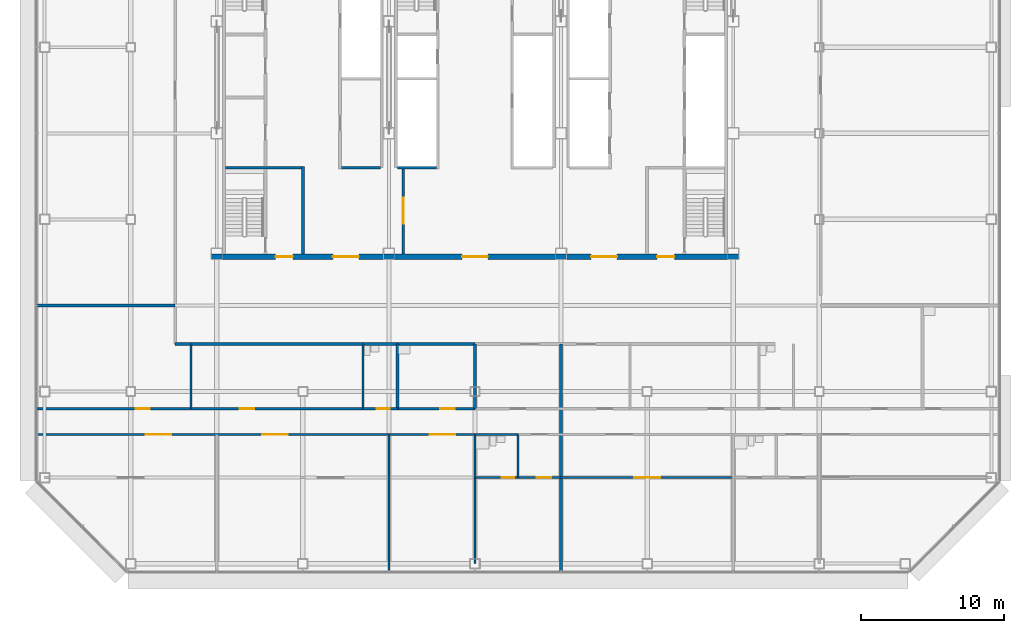
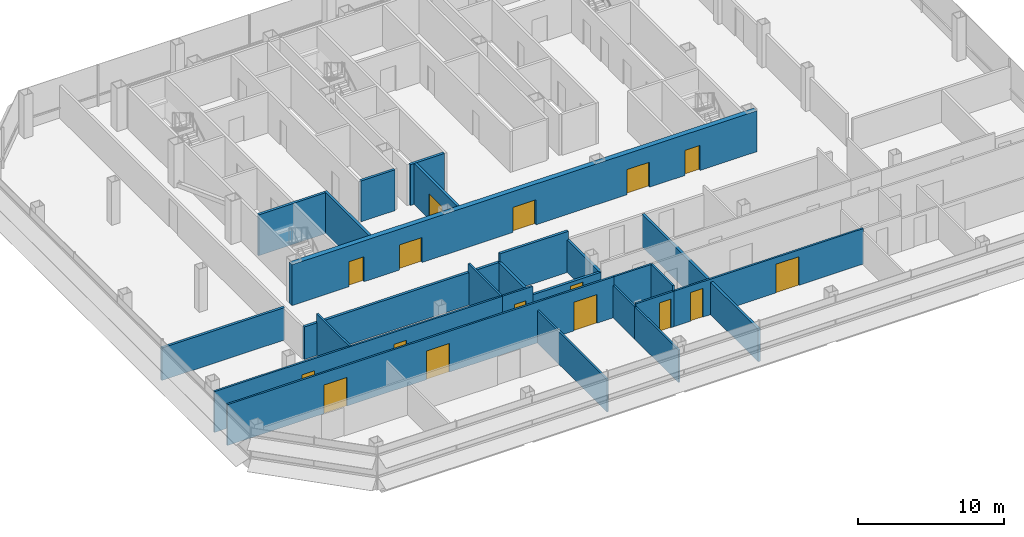
# One storey, part 19 of 24: 25 walls, 16 doors, 16 openings.
"""IFC4 building model written with IfcOpenShell, lengths in metres."""

from ifc_helpers import new_model, si_unit, direction, frame, frame_2d, origin, place, context, subcontext, project, spatial, rectangle, extrude, material, layer, layer_set, type_object, element, fill, save


model = new_model("IFC4")

# Units and contexts
model_context = context("Model", 3, precision=1e-05, world=origin(), true_north=direction((0.0, 1.0)))
body_context = subcontext(model_context, "Body", "Model", "MODEL_VIEW")
ifc_project = project(units=[si_unit("LENGTHUNIT", "METRE"), si_unit("AREAUNIT", "SQUARE_METRE"), si_unit("VOLUMEUNIT", "CUBIC_METRE"), si_unit("PLANEANGLEUNIT", "RADIAN"), si_unit("MASSUNIT", "GRAM", prefix="KILO")], contexts=[model_context])

# Site, building, storey
site_placement = place(None, origin())
site = spatial("IfcSite", under=ifc_project, at=site_placement, CompositionType="ELEMENT")
building_placement = place(site_placement, origin())
building = spatial("IfcBuilding", under=site, at=building_placement, Name="Sorahane Residences", CompositionType="ELEMENT")
storey_placement = place(building_placement, frame((0.0, 0.0, 170.800048828125)))
storey = spatial("IfcBuildingStorey", under=building, at=storey_placement, Name="L39", CompositionType="ELEMENT", Elevation=170.800048828125)

# Walls
ifc_material_1 = material(Name="Concrete blockwork C20 wall", Category="masonry")
ifc_layer_1 = layer(ifc_material_1, 0.199951171875)
ifc_layer_set_1 = layer_set([ifc_layer_1], Name="Corridor wall 200 EI 120")
wall_type_1 = type_object("IfcWallType", Name="Corridor wall 200 EI 120", PredefinedType="SOLIDWALL", material=ifc_layer_set_1)
wall_1_placement = place(storey_placement, frame((3.10009765625, 15.300048828125, 0.0), z_axis=(0.0, 0.0, 1.0), x_axis=(1.0, 0.0, 0.0)))
element("IfcWall", 1, at=wall_1_placement, inside=storey, type_object=wall_type_1, Name="L39 corridor wall", PredefinedType="SOLIDWALL", context=body_context, shape_type="SweptSolid", body=[
    extrude(rectangle(XDim=15.5, YDim=0.199951171875, at=frame_2d((7.75, 0.0))), origin(), (0.0, 0.0, 1.0), 2.719970703125),
])
wall_2_placement = place(storey_placement, frame((-6.60009765625, 18.0, 0.0), z_axis=(0.0, 0.0, 1.0), x_axis=(1.0, 0.0, 0.0)))
element("IfcWall", 2, at=wall_2_placement, inside=storey, type_object=wall_type_1, Name="L39 corridor wall", PredefinedType="SOLIDWALL", context=body_context, shape_type="SweptSolid", body=[
    extrude(rectangle(XDim=9.7001953125, YDim=0.199951171875, at=frame_2d((4.85009765625, 0.0))), origin(), (0.0, 0.0, 1.0), 2.719970703125),
])
ifc_material_2 = material(Name="Concrete C30", Category="concrete")
ifc_layer_2 = layer(ifc_material_2, 0.199951171875)
ifc_layer_set_2 = layer_set([ifc_layer_2], Name="Front room wall 200 EI 120")
wall_type_2 = type_object("IfcWallType", Name="Front room wall 200 EI 120", PredefinedType="PARTITIONING", material=ifc_layer_set_2)
wall_3_placement = place(storey_placement, frame((12.0, 21.60009765625, 0.0), z_axis=(0.0, 0.0, 1.0), x_axis=(0.0, 1.0, 0.0)))
element("IfcWall", 3, at=wall_3_placement, inside=storey, type_object=wall_type_2, Name="L39 front room wall", PredefinedType="PARTITIONING", context=body_context, shape_type="SweptSolid", body=[
    extrude(rectangle(XDim=6.099853515625, YDim=0.199951171875, at=frame_2d((3.0498046875, 0.0))), origin(), (0.0, 0.0, 1.0), 3.419921875),
])
ifc_material_3 = material(Name="Concrete blockwork C20 wall", Category="masonry")
ifc_layer_3 = layer(ifc_material_3, 0.199951171875)
ifc_layer_set_3 = layer_set([ifc_layer_3], Name="Kitchen wall 200 EI 180")
wall_type_3 = type_object("IfcWallType", Name="Kitchen wall 200 EI 180", PredefinedType="SOLIDWALL", material=ifc_layer_set_3)
for number, where, z_axis, x_axis, name in (
    (4, (18.60009765625, 10.800048828125, 0.0), (0.0, 0.0, 1.0), (0.0, 1.0, 0.0), "L39 kitchen wall"),
    (5, (24.0, 10.800048828125, 0.0), (0.0, 0.0, 1.0), (0.0, 1.0, 0.0), "L39 kitchen wall"),
):
    element("IfcWall", number, at=place(storey_placement, frame(where, z_axis=z_axis, x_axis=x_axis)), inside=storey, type_object=wall_type_3, Name=name, PredefinedType="SOLIDWALL", context=body_context, shape_type="SweptSolid", body=[
        extrude(rectangle(XDim=4.5, YDim=0.199951171875, at=frame_2d((2.25, 0.0))), origin(), (0.0, 0.0, 1.0), 2.719970703125),
    ])

# Wall, opening, door
wall_4_placement = place(storey_placement, frame((18.60009765625, 10.800048828125, 0.0), z_axis=(0.0, 0.0, 1.0), x_axis=(1.0, 0.0, 0.0)))
wall_4 = element("IfcWall", 6, at=wall_4_placement, inside=storey, type_object=wall_type_3, Name="L39 kitchen wall", PredefinedType="SOLIDWALL", context=body_context, shape_type="SweptSolid", body=[
    extrude(rectangle(XDim=5.39990234375, YDim=0.199951171875, at=frame_2d((2.699951171875, 0.0))), origin(), (0.0, 0.0, 1.0), 2.719970703125),
])
opening_1_placement = place(wall_4_placement, frame((2.97998046875, 0.0, 0.0)))
opening_1 = element("IfcOpeningElement", 7, at=opening_1_placement, cuts=wall_4, Name="Opening L39-05", PredefinedType="OPENING", context=body_context, shape_type="SweptSolid", body=[
    extrude(rectangle(XDim=1.0, YDim=2.39990234375, at=frame_2d((0.5, 1.199951171875))), frame((0.0, 0.10986328125, 0.0), z_axis=(0.0, -1.0, 0.0), x_axis=(1.0, 0.0, 0.0)), (0.0, 0.0, 1.0), 0.219970703125),
])
ifc_material_4 = material(Name="Steel", Category="steel")
door_type_1 = type_object("IfcDoorType", Name="Kitchen door 1000x2400 FD120", OperationType="NOTDEFINED", PredefinedType="DOOR", material=ifc_material_4)
door_1_placement = place(opening_1_placement, origin())
door_1 = element("IfcDoor", 8, at=door_1_placement, inside=storey, type_object=door_type_1, Name="Kitchen door L39-05", OperationType="SINGLE_SWING_RIGHT", OverallHeight=2.39990234375, OverallWidth=1.0, PredefinedType="DOOR", context=body_context, shape_type="SweptSolid", body=[
    extrude(rectangle(XDim=1.0, YDim=2.39990234375, at=frame_2d((0.5, 1.199951171875))), frame((0.0, 0.02490234375, 0.0), z_axis=(0.0, -1.0, 0.0), x_axis=(1.0, 0.0, 0.0)), (0.0, 0.0, 1.0), 0.050048828125),
])
fill(opening_1, door_1)

# Walls
wall_5_placement = place(storey_placement, frame((18.60009765625, 15.300048828125, 0.0), z_axis=(0.0, 0.0, 1.0), x_axis=(1.0, 0.0, 0.0)))
element("IfcWall", 9, at=wall_5_placement, inside=storey, type_object=wall_type_3, Name="L39 kitchen wall", PredefinedType="SOLIDWALL", context=body_context, shape_type="SweptSolid", body=[
    extrude(rectangle(XDim=5.39990234375, YDim=0.199951171875, at=frame_2d((2.699951171875, 0.0))), origin(), (0.0, 0.0, 1.0), 3.419921875),
])
ifc_material_5 = material(Name="Concrete C30", Category="concrete")
ifc_layer_4 = layer(ifc_material_5, 0.199951171875)
ifc_layer_set_4 = layer_set([ifc_layer_4], Name="Lift shaft wall 200 EI 120")
wall_type_4 = type_object("IfcWallType", Name="Lift shaft wall 200 EI 120", PredefinedType="SOLIDWALL", material=ifc_layer_set_4)
wall_6_placement = place(storey_placement, frame((18.60009765625, 27.60009765625, 0.0), z_axis=(0.0, 0.0, 1.0), x_axis=(1.0, 0.0, 0.0)))
element("IfcWall", 10, at=wall_6_placement, inside=storey, type_object=wall_type_4, Name="L39 lift shaft wall", PredefinedType="SOLIDWALL", context=body_context, shape_type="SweptSolid", body=[
    extrude(rectangle(XDim=2.699951171875, YDim=0.199951171875, at=frame_2d((1.35009765625, 0.0))), origin(), (0.0, 0.0, 1.0), 3.419921875),
])
ifc_material_6 = material(Name="Gypsum board partition on steel studs", Category="steel")
ifc_layer_5 = layer(ifc_material_6, 0.14990234375)
ifc_layer_set_5 = layer_set([ifc_layer_5], Name="Partition 150 EI 90")
wall_type_5 = type_object("IfcWallType", Name="Partition 150 EI 90", PredefinedType="PARTITIONING", material=ifc_layer_set_5)
wall_7_placement = place(storey_placement, frame((18.0, -0.60009765625, 0.0), z_axis=(0.0, 0.0, 1.0), x_axis=(0.0, 1.0, 0.0)))
element("IfcWall", 11, at=wall_7_placement, inside=storey, type_object=wall_type_5, Name="L39 partition", PredefinedType="PARTITIONING", context=body_context, shape_type="SweptSolid", body=[
    extrude(rectangle(XDim=9.60009765625, YDim=0.14990234375, at=frame_2d((4.800048828125, 0.0))), origin(), (0.0, 0.0, 1.0), 2.719970703125),
])
wall_8_placement = place(storey_placement, frame((24.0, 0.0, 0.0), z_axis=(0.0, 0.0, 1.0), x_axis=(0.0, 1.0, 0.0)))
element("IfcWall", 12, at=wall_8_placement, inside=storey, type_object=wall_type_5, Name="L39 partition", PredefinedType="PARTITIONING", context=body_context, shape_type="SweptSolid", body=[
    extrude(rectangle(XDim=6.0, YDim=0.14990234375, at=frame_2d((3.0, 0.0))), origin(), (0.0, 0.0, 1.0), 2.719970703125),
])
wall_9_placement = place(storey_placement, frame((4.199951171875, 10.800048828125, 0.0), z_axis=(0.0, 0.0, 1.0), x_axis=(0.0, 1.0, 0.0)))
element("IfcWall", 13, at=wall_9_placement, inside=storey, type_object=wall_type_5, Name="L39 partition", PredefinedType="PARTITIONING", context=body_context, shape_type="SweptSolid", body=[
    extrude(rectangle(XDim=4.5, YDim=0.14990234375, at=frame_2d((2.25, 0.0))), origin(), (0.0, 0.0, 1.0), 3.419921875),
])

# Wall, openings, doors
wall_10_placement = place(storey_placement, frame((-6.60009765625, 10.800048828125, 0.0), z_axis=(0.0, 0.0, 1.0), x_axis=(1.0, 0.0, 0.0)))
wall_10 = element("IfcWall", 14, at=wall_10_placement, inside=storey, type_object=wall_type_5, Name="L39 partition", PredefinedType="PARTITIONING", context=body_context, shape_type="SweptSolid", body=[
    extrude(rectangle(XDim=22.800048828125, YDim=0.14990234375, at=frame_2d((11.39990234375, 0.0))), origin(), (0.0, 0.0, 1.0), 3.419921875),
])
opening_2_placement = place(wall_10_placement, frame((6.93994140625, 0.0, 0.0)))
opening_2 = element("IfcOpeningElement", 15, at=opening_2_placement, cuts=wall_10, Name="Opening L39-02", PredefinedType="OPENING", context=body_context, shape_type="SweptSolid", body=[
    extrude(rectangle(XDim=1.0, YDim=2.39990234375, at=frame_2d((0.5, 1.199951171875))), frame((0.0, 0.0849609375, 0.0), z_axis=(0.0, -1.0, 0.0), x_axis=(1.0, 0.0, 0.0)), (0.0, 0.0, 1.0), 0.169921875),
])
opening_3_placement = place(wall_10_placement, frame((14.199951171875, 0.0, 0.0)))
opening_3 = element("IfcOpeningElement", 16, at=opening_3_placement, cuts=wall_10, Name="Opening L39-03", PredefinedType="OPENING", context=body_context, shape_type="SweptSolid", body=[
    extrude(rectangle(XDim=1.0, YDim=2.39990234375, at=frame_2d((0.5, 1.199951171875))), frame((0.0, 0.0849609375, 0.0), z_axis=(0.0, -1.0, 0.0), x_axis=(1.0, 0.0, 0.0)), (0.0, 0.0, 1.0), 0.169921875),
])
ifc_material_7 = material(Name="Timber veneered fire door", Category="wood")
door_type_2 = type_object("IfcDoorType", Name="Room door 1000x2400 FD30", OperationType="NOTDEFINED", PredefinedType="DOOR", material=ifc_material_7)
door_2_placement = place(opening_2_placement, origin())
door_2 = element("IfcDoor", 17, at=door_2_placement, inside=storey, type_object=door_type_2, Name="Room door L39-02", OperationType="SINGLE_SWING_RIGHT", OverallHeight=2.39990234375, OverallWidth=1.0, PredefinedType="DOOR", context=body_context, shape_type="SweptSolid", body=[
    extrude(rectangle(XDim=1.0, YDim=2.39990234375, at=frame_2d((0.5, 1.199951171875))), frame((0.0, 0.02490234375, 0.0), z_axis=(0.0, -1.0, 0.0), x_axis=(1.0, 0.0, 0.0)), (0.0, 0.0, 1.0), 0.050048828125),
])
fill(opening_2, door_2)
door_3_placement = place(opening_3_placement, origin())
door_3 = element("IfcDoor", 18, at=door_3_placement, inside=storey, type_object=door_type_2, Name="Room door L39-03", OperationType="SINGLE_SWING_LEFT", OverallHeight=2.39990234375, OverallWidth=1.0, PredefinedType="DOOR", context=body_context, shape_type="SweptSolid", body=[
    extrude(rectangle(XDim=1.0, YDim=2.39990234375, at=frame_2d((0.5, 1.199951171875))), frame((0.0, 0.02490234375, 0.0), z_axis=(0.0, -1.0, 0.0), x_axis=(1.0, 0.0, 0.0)), (0.0, 0.0, 1.0), 0.050048828125),
])
fill(opening_3, door_3)

wall_11_placement = place(storey_placement, frame((27.0, 6.0, 0.0), z_axis=(0.0, 0.0, 1.0), x_axis=(1.0, 0.0, 0.0)))
wall_11 = element("IfcWall", 19, at=wall_11_placement, inside=storey, type_object=wall_type_5, Name="L39 partition", PredefinedType="PARTITIONING", context=body_context, shape_type="SweptSolid", body=[
    extrude(rectangle(XDim=15.0, YDim=0.14990234375, at=frame_2d((7.5, 0.0))), origin(), (0.0, 0.0, 1.0), 2.969970703125),
])
opening_4_placement = place(wall_11_placement, frame((1.300048828125, 0.0, 0.0)))
opening_4 = element("IfcOpeningElement", 20, at=opening_4_placement, cuts=wall_11, Name="Opening L39-12", PredefinedType="OPENING", context=body_context, shape_type="SweptSolid", body=[
    extrude(rectangle(XDim=1.0, YDim=2.39990234375, at=frame_2d((0.5, 1.199951171875))), frame((0.0, 0.0849609375, 0.0), z_axis=(0.0, -1.0, 0.0), x_axis=(1.0, 0.0, 0.0)), (0.0, 0.0, 1.0), 0.169921875),
])
opening_5_placement = place(wall_11_placement, frame((8.10009765625, 0.0, 0.0)))
opening_5 = element("IfcOpeningElement", 21, at=opening_5_placement, cuts=wall_11, Name="Opening L39-22", PredefinedType="OPENING", context=body_context, shape_type="SweptSolid", body=[
    extrude(rectangle(XDim=1.800048828125, YDim=2.39990234375, at=frame_2d((0.89990234375, 1.199951171875))), frame((0.0, 0.0849609375, 0.0), z_axis=(0.0, -1.0, 0.0), x_axis=(1.0, 0.0, 0.0)), (0.0, 0.0, 1.0), 0.169921875),
])
ifc_material_8 = material(Name="Timber veneered fire door", Category="wood")
door_type_3 = type_object("IfcDoorType", Name="Double door 1800x2400 FD30", OperationType="NOTDEFINED", PredefinedType="DOOR", material=ifc_material_8)
door_4_placement = place(opening_5_placement, frame((1.800048828125, 0.0, 0.0), z_axis=(0.0, 0.0, 1.0), x_axis=(-1.0, 0.0, 0.0)))
door_4 = element("IfcDoor", 22, at=door_4_placement, inside=storey, type_object=door_type_3, Name="Double door L39-22", OperationType="SINGLE_SWING_RIGHT", OverallHeight=2.39990234375, OverallWidth=1.800048828125, PredefinedType="DOOR", context=body_context, shape_type="SweptSolid", body=[
    extrude(rectangle(XDim=1.800048828125, YDim=2.39990234375, at=frame_2d((0.89990234375, 1.199951171875))), frame((0.0, 0.02490234375, 0.0), z_axis=(0.0, -1.0, 0.0), x_axis=(1.0, 0.0, 0.0)), (0.0, 0.0, 1.0), 0.050048828125),
])
fill(opening_5, door_4)
door_5_placement = place(opening_4_placement, frame((1.0, 0.0, 0.0), z_axis=(0.0, 0.0, 1.0), x_axis=(-1.0, 0.0, 0.0)))
door_5 = element("IfcDoor", 23, at=door_5_placement, inside=storey, type_object=door_type_2, Name="Room door L39-12", OperationType="SINGLE_SWING_RIGHT", OverallHeight=2.39990234375, OverallWidth=1.0, PredefinedType="DOOR", context=body_context, shape_type="SweptSolid", body=[
    extrude(rectangle(XDim=1.0, YDim=2.39990234375, at=frame_2d((0.5, 1.199951171875))), frame((0.0, 0.02490234375, 0.0), z_axis=(0.0, -1.0, 0.0), x_axis=(1.0, 0.0, 0.0)), (0.0, 0.0, 1.0), 0.050048828125),
])
fill(opening_4, door_5)

wall_12_placement = place(storey_placement, frame((-6.60009765625, 9.0, 0.0), z_axis=(0.0, 0.0, 1.0), x_axis=(1.0, 0.0, 0.0)))
wall_12 = element("IfcWall", 24, at=wall_12_placement, inside=storey, type_object=wall_type_5, Name="L39 partition", PredefinedType="PARTITIONING", context=body_context, shape_type="SweptSolid", body=[
    extrude(rectangle(XDim=30.60009765625, YDim=0.14990234375, at=frame_2d((15.300048828125, 0.0))), origin(), (0.0, 0.0, 1.0), 3.419921875),
])
opening_6_placement = place(wall_12_placement, frame((7.639892578125, 0.0, 0.0)))
opening_6 = element("IfcOpeningElement", 25, at=opening_6_placement, cuts=wall_12, Name="Opening L39-06", PredefinedType="OPENING", context=body_context, shape_type="SweptSolid", body=[
    extrude(rectangle(XDim=1.800048828125, YDim=2.39990234375, at=frame_2d((0.89990234375, 1.199951171875))), frame((0.0, 0.0849609375, 0.0), z_axis=(0.0, -1.0, 0.0), x_axis=(1.0, 0.0, 0.0)), (0.0, 0.0, 1.0), 0.169921875),
])
opening_7_placement = place(wall_12_placement, frame((15.760009765625, 0.0, 0.0)))
opening_7 = element("IfcOpeningElement", 26, at=opening_7_placement, cuts=wall_12, Name="Opening L39-07", PredefinedType="OPENING", context=body_context, shape_type="SweptSolid", body=[
    extrude(rectangle(XDim=1.800048828125, YDim=2.39990234375, at=frame_2d((0.89990234375, 1.199951171875))), frame((0.0, 0.0849609375, 0.0), z_axis=(0.0, -1.0, 0.0), x_axis=(1.0, 0.0, 0.0)), (0.0, 0.0, 1.0), 0.169921875),
])
opening_8_placement = place(wall_12_placement, frame((27.43994140625, 0.0, 0.0)))
opening_8 = element("IfcOpeningElement", 27, at=opening_8_placement, cuts=wall_12, Name="Opening L39-08", PredefinedType="OPENING", context=body_context, shape_type="SweptSolid", body=[
    extrude(rectangle(XDim=1.800048828125, YDim=2.39990234375, at=frame_2d((0.89990234375, 1.199951171875))), frame((0.0, 0.0849609375, 0.0), z_axis=(0.0, -1.0, 0.0), x_axis=(1.0, 0.0, 0.0)), (0.0, 0.0, 1.0), 0.169921875),
])
door_6_placement = place(opening_6_placement, frame((1.800048828125, 0.0, 0.0), z_axis=(0.0, 0.0, 1.0), x_axis=(-1.0, 0.0, 0.0)))
door_6 = element("IfcDoor", 28, at=door_6_placement, inside=storey, type_object=door_type_3, Name="Double door L39-06", OperationType="SINGLE_SWING_RIGHT", OverallHeight=2.39990234375, OverallWidth=1.800048828125, PredefinedType="DOOR", context=body_context, shape_type="SweptSolid", body=[
    extrude(rectangle(XDim=1.800048828125, YDim=2.39990234375, at=frame_2d((0.89990234375, 1.199951171875))), frame((0.0, 0.02490234375, 0.0), z_axis=(0.0, -1.0, 0.0), x_axis=(1.0, 0.0, 0.0)), (0.0, 0.0, 1.0), 0.050048828125),
])
fill(opening_6, door_6)
door_7_placement = place(opening_7_placement, frame((1.800048828125, 0.0, 0.0), z_axis=(0.0, 0.0, 1.0), x_axis=(-1.0, 0.0, 0.0)))
door_7 = element("IfcDoor", 29, at=door_7_placement, inside=storey, type_object=door_type_3, Name="Double door L39-07", OperationType="SINGLE_SWING_RIGHT", OverallHeight=2.39990234375, OverallWidth=1.800048828125, PredefinedType="DOOR", context=body_context, shape_type="SweptSolid", body=[
    extrude(rectangle(XDim=1.800048828125, YDim=2.39990234375, at=frame_2d((0.89990234375, 1.199951171875))), frame((0.0, 0.02490234375, 0.0), z_axis=(0.0, -1.0, 0.0), x_axis=(1.0, 0.0, 0.0)), (0.0, 0.0, 1.0), 0.050048828125),
])
fill(opening_7, door_7)
door_8_placement = place(opening_8_placement, frame((1.800048828125, 0.0, 0.0), z_axis=(0.0, 0.0, 1.0), x_axis=(-1.0, 0.0, 0.0)))
door_8 = element("IfcDoor", 30, at=door_8_placement, inside=storey, type_object=door_type_3, Name="Double door L39-08", OperationType="SINGLE_SWING_LEFT", OverallHeight=2.39990234375, OverallWidth=1.800048828125, PredefinedType="DOOR", context=body_context, shape_type="SweptSolid", body=[
    extrude(rectangle(XDim=1.800048828125, YDim=2.39990234375, at=frame_2d((0.89990234375, 1.199951171875))), frame((0.0, 0.02490234375, 0.0), z_axis=(0.0, -1.0, 0.0), x_axis=(1.0, 0.0, 0.0)), (0.0, 0.0, 1.0), 0.050048828125),
])
fill(opening_8, door_8)

# Wall
ifc_material_9 = material(Name="Concrete blockwork C20 wall", Category="masonry")
ifc_layer_6 = layer(ifc_material_9, 0.199951171875)
ifc_layer_set_6 = layer_set([ifc_layer_6], Name="Party wall 200 EI 120")
wall_type_6 = type_object("IfcWallType", Name="Party wall 200 EI 120", PredefinedType="SOLIDWALL", material=ifc_layer_set_6)
wall_13_placement = place(storey_placement, frame((30.0, -0.60009765625, 0.0), z_axis=(0.0, 0.0, 1.0), x_axis=(0.0, 1.0, 0.0)))
element("IfcWall", 31, at=wall_13_placement, inside=storey, type_object=wall_type_6, Name="L39 party wall", PredefinedType="SOLIDWALL", context=body_context, shape_type="SweptSolid", body=[
    extrude(rectangle(XDim=15.900146484375, YDim=0.199951171875, at=frame_2d((7.9501953125, 0.0))), origin(), (0.0, 0.0, 1.0), 2.719970703125),
])

# Wall, opening, door
ifc_material_10 = material(Name="Concrete C30", Category="concrete")
ifc_layer_7 = layer(ifc_material_10, 0.199951171875)
ifc_layer_set_7 = layer_set([ifc_layer_7], Name="Service room partition 200 EI 60")
wall_type_7 = type_object("IfcWallType", Name="Service room partition 200 EI 60", PredefinedType="PARTITIONING", material=ifc_layer_set_7)
wall_14_placement = place(storey_placement, frame((19.0, 21.60009765625, 0.0), z_axis=(0.0, 0.0, 1.0), x_axis=(0.0, 1.0, 0.0)))
wall_14 = element("IfcWall", 32, at=wall_14_placement, inside=storey, type_object=wall_type_7, Name="L39 service room wall", PredefinedType="PARTITIONING", context=body_context, shape_type="SweptSolid", body=[
    extrude(rectangle(XDim=6.0, YDim=0.199951171875, at=frame_2d((3.0, 0.0))), origin(), (0.0, 0.0, 1.0), 3.419921875),
])
opening_9_placement = place(wall_14_placement, frame((2.10009765625, 0.0, 0.0)))
opening_9 = element("IfcOpeningElement", 33, at=opening_9_placement, cuts=wall_14, Name="Opening L39-C02", PredefinedType="OPENING", context=body_context, shape_type="SweptSolid", body=[
    extrude(rectangle(XDim=1.800048828125, YDim=2.10009765625, at=frame_2d((0.89990234375, 1.050048828125))), frame((0.0, 0.10986328125, 0.0), z_axis=(0.0, -1.0, 0.0), x_axis=(1.0, 0.0, 0.0)), (0.0, 0.0, 1.0), 0.219970703125),
])
ifc_material_11 = material(Name="Steel", Category="steel")
door_type_4 = type_object("IfcDoorType", Name="Waiting hall door 1800x2100 FD60", OperationType="NOTDEFINED", PredefinedType="DOOR", material=ifc_material_11)
door_9_placement = place(opening_9_placement, origin())
door_9 = element("IfcDoor", 34, at=door_9_placement, inside=storey, type_object=door_type_4, Name="Waiting hall door Residents' waiting hall west L39", OperationType="SINGLE_SWING_LEFT", OverallHeight=2.10009765625, OverallWidth=1.800048828125, PredefinedType="DOOR", context=body_context, shape_type="SweptSolid", body=[
    extrude(rectangle(XDim=1.800048828125, YDim=2.10009765625, at=frame_2d((0.89990234375, 1.050048828125))), frame((0.0, 0.02490234375, 0.0), z_axis=(0.0, -1.0, 0.0), x_axis=(1.0, 0.0, 0.0)), (0.0, 0.0, 1.0), 0.050048828125),
])
fill(opening_9, door_9)

# Walls
wall_15_placement = place(storey_placement, frame((14.699951171875, 27.60009765625, 0.0), z_axis=(0.0, 0.0, 1.0), x_axis=(1.0, 0.0, 0.0)))
element("IfcWall", 35, at=wall_15_placement, inside=storey, type_object=wall_type_7, Name="L39 service room wall", PredefinedType="PARTITIONING", context=body_context, shape_type="SweptSolid", body=[
    extrude(rectangle(XDim=2.699951171875, YDim=0.199951171875, at=frame_2d((1.35009765625, 0.0))), origin(), (0.0, 0.0, 1.0), 3.419921875),
])
ifc_material_12 = material(Name="Concrete C30", Category="concrete")
ifc_layer_8 = layer(ifc_material_12, 0.199951171875)
ifc_layer_set_8 = layer_set([ifc_layer_8], Name="Stair enclosure wall 200 EI 120")
wall_type_8 = type_object("IfcWallType", Name="Stair enclosure wall 200 EI 120", PredefinedType="SOLIDWALL", material=ifc_layer_set_8)
wall_16_placement = place(storey_placement, frame((6.60009765625, 27.60009765625, 0.0), z_axis=(0.0, 0.0, 1.0), x_axis=(1.0, 0.0, 0.0)))
element("IfcWall", 36, at=wall_16_placement, inside=storey, type_object=wall_type_8, Name="L39 stair enclosure wall", PredefinedType="SOLIDWALL", context=body_context, shape_type="SweptSolid", body=[
    extrude(rectangle(XDim=5.2998046875, YDim=0.199951171875, at=frame_2d((2.64990234375, 0.0))), origin(), (0.0, 0.0, 1.0), 3.419921875),
])

# Wall, openings, doors
ifc_material_13 = material(Name="Concrete C30", Category="concrete")
ifc_layer_9 = layer(ifc_material_13, 0.39990234375)
ifc_layer_set_9 = layer_set([ifc_layer_9], Name="Waiting hall wall 400 EI 120")
wall_type_9 = type_object("IfcWallType", Name="Waiting hall wall 400 EI 120", PredefinedType="SOLIDWALL", material=ifc_layer_set_9)
wall_17_placement = place(storey_placement, frame((5.60009765625, 21.39990234375, 0.0), z_axis=(0.0, 0.0, 1.0), x_axis=(1.0, 0.0, 0.0)))
wall_17 = element("IfcWall", 37, at=wall_17_placement, inside=storey, type_object=wall_type_9, Name="L39 waiting hall wall", PredefinedType="SOLIDWALL", context=body_context, shape_type="SweptSolid", body=[
    extrude(rectangle(XDim=36.7998046875, YDim=0.39990234375, at=frame_2d((18.39990234375, 0.0))), origin(), (0.0, 0.0, 1.0), 3.419921875),
])
opening_10_placement = place(wall_17_placement, frame((8.5, 0.0, 0.0)))
opening_10 = element("IfcOpeningElement", 38, at=opening_10_placement, cuts=wall_17, Name="Opening L39-C01", PredefinedType="OPENING", context=body_context, shape_type="SweptSolid", body=[
    extrude(rectangle(XDim=1.800048828125, YDim=2.10009765625, at=frame_2d((0.89990234375, 1.050048828125))), frame((0.0, 0.2099609375, 0.0), z_axis=(0.0, -1.0, 0.0), x_axis=(1.0, 0.0, 0.0)), (0.0, 0.0, 1.0), 0.419921875),
])
opening_11_placement = place(wall_17_placement, frame((17.5, 0.0, 0.0)))
opening_11 = element("IfcOpeningElement", 39, at=opening_11_placement, cuts=wall_17, Name="Opening L39-C03", PredefinedType="OPENING", context=body_context, shape_type="SweptSolid", body=[
    extrude(rectangle(XDim=1.800048828125, YDim=2.10009765625, at=frame_2d((0.89990234375, 1.050048828125))), frame((0.0, 0.2099609375, 0.0), z_axis=(0.0, -1.0, 0.0), x_axis=(1.0, 0.0, 0.0)), (0.0, 0.0, 1.0), 0.419921875),
])
opening_12_placement = place(wall_17_placement, frame((26.5, 0.0, 0.0)))
opening_12 = element("IfcOpeningElement", 40, at=opening_12_placement, cuts=wall_17, Name="Opening L39-C04", PredefinedType="OPENING", context=body_context, shape_type="SweptSolid", body=[
    extrude(rectangle(XDim=1.800048828125, YDim=2.10009765625, at=frame_2d((0.89990234375, 1.050048828125))), frame((0.0, 0.2099609375, 0.0), z_axis=(0.0, -1.0, 0.0), x_axis=(1.0, 0.0, 0.0)), (0.0, 0.0, 1.0), 0.419921875),
])
opening_13_placement = place(wall_17_placement, frame((4.5, 0.0, 0.0)))
opening_13 = element("IfcOpeningElement", 41, at=opening_13_placement, cuts=wall_17, Name="Opening L39-C05", PredefinedType="OPENING", context=body_context, shape_type="SweptSolid", body=[
    extrude(rectangle(XDim=1.199951171875, YDim=2.10009765625, at=frame_2d((0.60009765625, 1.050048828125))), frame((0.0, 0.2099609375, 0.0), z_axis=(0.0, -1.0, 0.0), x_axis=(1.0, 0.0, 0.0)), (0.0, 0.0, 1.0), 0.419921875),
])
opening_14_placement = place(wall_17_placement, frame((31.10009765625, 0.0, 0.0)))
opening_14 = element("IfcOpeningElement", 42, at=opening_14_placement, cuts=wall_17, Name="Opening L39-C06", PredefinedType="OPENING", context=body_context, shape_type="SweptSolid", body=[
    extrude(rectangle(XDim=1.199951171875, YDim=2.10009765625, at=frame_2d((0.60009765625, 1.050048828125))), frame((0.0, 0.2099609375, 0.0), z_axis=(0.0, -1.0, 0.0), x_axis=(1.0, 0.0, 0.0)), (0.0, 0.0, 1.0), 0.419921875),
])
ifc_material_14 = material(Name="Steel", Category="steel")
door_type_5 = type_object("IfcDoorType", Name="Stair front room door 1200x2100 FD120", OperationType="NOTDEFINED", PredefinedType="DOOR", material=ifc_material_14)
door_10_placement = place(opening_13_placement, frame((1.199951171875, 0.0, 0.0), z_axis=(0.0, 0.0, 1.0), x_axis=(-1.0, 0.0, 0.0)))
door_10 = element("IfcDoor", 43, at=door_10_placement, inside=storey, type_object=door_type_5, Name="Stair front room door Stair S4 front room L39", OperationType="SINGLE_SWING_LEFT", OverallHeight=2.10009765625, OverallWidth=1.199951171875, PredefinedType="DOOR", context=body_context, shape_type="SweptSolid", body=[
    extrude(rectangle(XDim=1.199951171875, YDim=2.10009765625, at=frame_2d((0.60009765625, 1.050048828125))), frame((0.0, 0.02490234375, 0.0), z_axis=(0.0, -1.0, 0.0), x_axis=(1.0, 0.0, 0.0)), (0.0, 0.0, 1.0), 0.050048828125),
])
fill(opening_13, door_10)
door_11_placement = place(opening_14_placement, frame((1.199951171875, 0.0, 0.0), z_axis=(0.0, 0.0, 1.0), x_axis=(-1.0, 0.0, 0.0)))
door_11 = element("IfcDoor", 44, at=door_11_placement, inside=storey, type_object=door_type_5, Name="Stair front room door Stair S5 front room L39", OperationType="SINGLE_SWING_LEFT", OverallHeight=2.10009765625, OverallWidth=1.199951171875, PredefinedType="DOOR", context=body_context, shape_type="SweptSolid", body=[
    extrude(rectangle(XDim=1.199951171875, YDim=2.10009765625, at=frame_2d((0.60009765625, 1.050048828125))), frame((0.0, 0.02490234375, 0.0), z_axis=(0.0, -1.0, 0.0), x_axis=(1.0, 0.0, 0.0)), (0.0, 0.0, 1.0), 0.050048828125),
])
fill(opening_14, door_11)
door_12_placement = place(opening_10_placement, frame((1.800048828125, 0.0, 0.0), z_axis=(0.0, 0.0, 1.0), x_axis=(-1.0, 0.0, 0.0)))
door_12 = element("IfcDoor", 45, at=door_12_placement, inside=storey, type_object=door_type_4, Name="Waiting hall door Residents' waiting hall west L39", OperationType="SINGLE_SWING_LEFT", OverallHeight=2.10009765625, OverallWidth=1.800048828125, PredefinedType="DOOR", context=body_context, shape_type="SweptSolid", body=[
    extrude(rectangle(XDim=1.800048828125, YDim=2.10009765625, at=frame_2d((0.89990234375, 1.050048828125))), frame((0.0, 0.02490234375, 0.0), z_axis=(0.0, -1.0, 0.0), x_axis=(1.0, 0.0, 0.0)), (0.0, 0.0, 1.0), 0.050048828125),
])
fill(opening_10, door_12)
door_13_placement = place(opening_11_placement, frame((1.800048828125, 0.0, 0.0), z_axis=(0.0, 0.0, 1.0), x_axis=(-1.0, 0.0, 0.0)))
door_13 = element("IfcDoor", 46, at=door_13_placement, inside=storey, type_object=door_type_4, Name="Waiting hall door Residents' waiting hall east L39", OperationType="SINGLE_SWING_LEFT", OverallHeight=2.10009765625, OverallWidth=1.800048828125, PredefinedType="DOOR", context=body_context, shape_type="SweptSolid", body=[
    extrude(rectangle(XDim=1.800048828125, YDim=2.10009765625, at=frame_2d((0.89990234375, 1.050048828125))), frame((0.0, 0.02490234375, 0.0), z_axis=(0.0, -1.0, 0.0), x_axis=(1.0, 0.0, 0.0)), (0.0, 0.0, 1.0), 0.050048828125),
])
fill(opening_11, door_13)
door_14_placement = place(opening_12_placement, frame((1.800048828125, 0.0, 0.0), z_axis=(0.0, 0.0, 1.0), x_axis=(-1.0, 0.0, 0.0)))
door_14 = element("IfcDoor", 47, at=door_14_placement, inside=storey, type_object=door_type_4, Name="Waiting hall door Residents' waiting hall east L39", OperationType="SINGLE_SWING_LEFT", OverallHeight=2.10009765625, OverallWidth=1.800048828125, PredefinedType="DOOR", context=body_context, shape_type="SweptSolid", body=[
    extrude(rectangle(XDim=1.800048828125, YDim=2.10009765625, at=frame_2d((0.89990234375, 1.050048828125))), frame((0.0, 0.02490234375, 0.0), z_axis=(0.0, -1.0, 0.0), x_axis=(1.0, 0.0, 0.0)), (0.0, 0.0, 1.0), 0.050048828125),
])
fill(opening_12, door_14)

# Walls
ifc_material_15 = material(Name="Gypsum board partition on steel studs", Category="steel")
ifc_layer_10 = layer(ifc_material_15, 0.14990234375)
ifc_layer_set_10 = layer_set([ifc_layer_10], Name="Wet wall 150 EI 90")
wall_type_10 = type_object("IfcWallType", Name="Wet wall 150 EI 90", PredefinedType="PARTITIONING", material=ifc_layer_set_10)
wall_18_placement = place(storey_placement, frame((16.199951171875, 10.800048828125, 0.0), z_axis=(0.0, 0.0, 1.0), x_axis=(0.0, 1.0, 0.0)))
element("IfcWall", 48, at=wall_18_placement, inside=storey, type_object=wall_type_10, Name="L39 wet wall", PredefinedType="PARTITIONING", context=body_context, shape_type="SweptSolid", body=[
    extrude(rectangle(XDim=4.5, YDim=0.14990234375, at=frame_2d((2.25, 0.0))), origin(), (0.0, 0.0, 1.0), 3.419921875),
])
wall_19_placement = place(storey_placement, frame((24.0, 6.0, 0.0), z_axis=(0.0, 0.0, 1.0), x_axis=(0.0, 1.0, 0.0)))
element("IfcWall", 49, at=wall_19_placement, inside=storey, type_object=wall_type_10, Name="L39 wet wall", PredefinedType="PARTITIONING", context=body_context, shape_type="SweptSolid", body=[
    extrude(rectangle(XDim=3.0, YDim=0.14990234375, at=frame_2d((1.5, 0.0))), origin(), (0.0, 0.0, 1.0), 2.719970703125),
])
wall_20_placement = place(storey_placement, frame((27.0, 6.0, 0.0), z_axis=(0.0, 0.0, 1.0), x_axis=(0.0, 1.0, 0.0)))
element("IfcWall", 50, at=wall_20_placement, inside=storey, type_object=wall_type_10, Name="L39 wet wall", PredefinedType="PARTITIONING", context=body_context, shape_type="SweptSolid", body=[
    extrude(rectangle(XDim=3.0, YDim=0.14990234375, at=frame_2d((1.5, 0.0))), origin(), (0.0, 0.0, 1.0), 3.419921875),
])

# Wall, opening, door
wall_21_placement = place(storey_placement, frame((16.199951171875, 10.800048828125, 0.0), z_axis=(0.0, 0.0, 1.0), x_axis=(1.0, 0.0, 0.0)))
wall_21 = element("IfcWall", 51, at=wall_21_placement, inside=storey, type_object=wall_type_10, Name="L39 wet wall", PredefinedType="PARTITIONING", context=body_context, shape_type="SweptSolid", body=[
    extrude(rectangle(XDim=2.400146484375, YDim=0.14990234375, at=frame_2d((1.2001953125, 0.0))), origin(), (0.0, 0.0, 1.0), 3.419921875),
])
opening_15_placement = place(wall_21_placement, frame((0.949951171875, 0.0, 0.0)))
opening_15 = element("IfcOpeningElement", 52, at=opening_15_placement, cuts=wall_21, Name="Opening L39-04", PredefinedType="OPENING", context=body_context, shape_type="SweptSolid", body=[
    extrude(rectangle(XDim=0.89990234375, YDim=2.39990234375, at=frame_2d((0.449951171875, 1.199951171875))), frame((0.0, 0.0849609375, 0.0), z_axis=(0.0, -1.0, 0.0), x_axis=(1.0, 0.0, 0.0)), (0.0, 0.0, 1.0), 0.169921875),
])
ifc_material_16 = material(Name="Timber veneered fire door", Category="wood")
door_type_6 = type_object("IfcDoorType", Name="Bathroom door 900x2400 FD30", OperationType="NOTDEFINED", PredefinedType="DOOR", material=ifc_material_16)
door_15_placement = place(opening_15_placement, frame((0.89990234375, 0.0, 0.0), z_axis=(0.0, 0.0, 1.0), x_axis=(-1.0, 0.0, 0.0)))
door_15 = element("IfcDoor", 53, at=door_15_placement, inside=storey, type_object=door_type_6, Name="Bathroom door L39-04", OperationType="SINGLE_SWING_RIGHT", OverallHeight=2.39990234375, OverallWidth=0.89990234375, PredefinedType="DOOR", context=body_context, shape_type="SweptSolid", body=[
    extrude(rectangle(XDim=0.89990234375, YDim=2.39990234375, at=frame_2d((0.449951171875, 1.199951171875))), frame((0.0, 0.02490234375, 0.0), z_axis=(0.0, -1.0, 0.0), x_axis=(1.0, 0.0, 0.0)), (0.0, 0.0, 1.0), 0.050048828125),
])
fill(opening_15, door_15)

wall_22_placement = place(storey_placement, frame((24.0, 6.0, 0.0), z_axis=(0.0, 0.0, 1.0), x_axis=(1.0, 0.0, 0.0)))
wall_22 = element("IfcWall", 54, at=wall_22_placement, inside=storey, type_object=wall_type_10, Name="L39 wet wall", PredefinedType="PARTITIONING", context=body_context, shape_type="SweptSolid", body=[
    extrude(rectangle(XDim=3.0, YDim=0.14990234375, at=frame_2d((1.5, 0.0))), origin(), (0.0, 0.0, 1.0), 2.969970703125),
])
opening_16_placement = place(wall_22_placement, frame((1.85009765625, 0.0, 0.0)))
opening_16 = element("IfcOpeningElement", 55, at=opening_16_placement, cuts=wall_22, Name="Opening L39-13", PredefinedType="OPENING", context=body_context, shape_type="SweptSolid", body=[
    extrude(rectangle(XDim=0.89990234375, YDim=2.39990234375, at=frame_2d((0.449951171875, 1.199951171875))), frame((0.0, 0.0849609375, 0.0), z_axis=(0.0, -1.0, 0.0), x_axis=(1.0, 0.0, 0.0)), (0.0, 0.0, 1.0), 0.169921875),
])
door_16_placement = place(opening_16_placement, frame((0.89990234375, 0.0, 0.0), z_axis=(0.0, 0.0, 1.0), x_axis=(-1.0, 0.0, 0.0)))
door_16 = element("IfcDoor", 56, at=door_16_placement, inside=storey, type_object=door_type_6, Name="Bathroom door L39-13", OperationType="SINGLE_SWING_RIGHT", OverallHeight=2.39990234375, OverallWidth=0.89990234375, PredefinedType="DOOR", context=body_context, shape_type="SweptSolid", body=[
    extrude(rectangle(XDim=0.89990234375, YDim=2.39990234375, at=frame_2d((0.449951171875, 1.199951171875))), frame((0.0, 0.02490234375, 0.0), z_axis=(0.0, -1.0, 0.0), x_axis=(1.0, 0.0, 0.0)), (0.0, 0.0, 1.0), 0.050048828125),
])
fill(opening_16, door_16)

# Wall
wall_23_placement = place(storey_placement, frame((24.0, 9.0, 0.0), z_axis=(0.0, 0.0, 1.0), x_axis=(1.0, 0.0, 0.0)))
element("IfcWall", 57, at=wall_23_placement, inside=storey, type_object=wall_type_10, Name="L39 wet wall", PredefinedType="PARTITIONING", context=body_context, shape_type="SweptSolid", body=[
    extrude(rectangle(XDim=3.0, YDim=0.14990234375, at=frame_2d((1.5, 0.0))), origin(), (0.0, 0.0, 1.0), 3.419921875),
])

save(model, "model.ifc")
